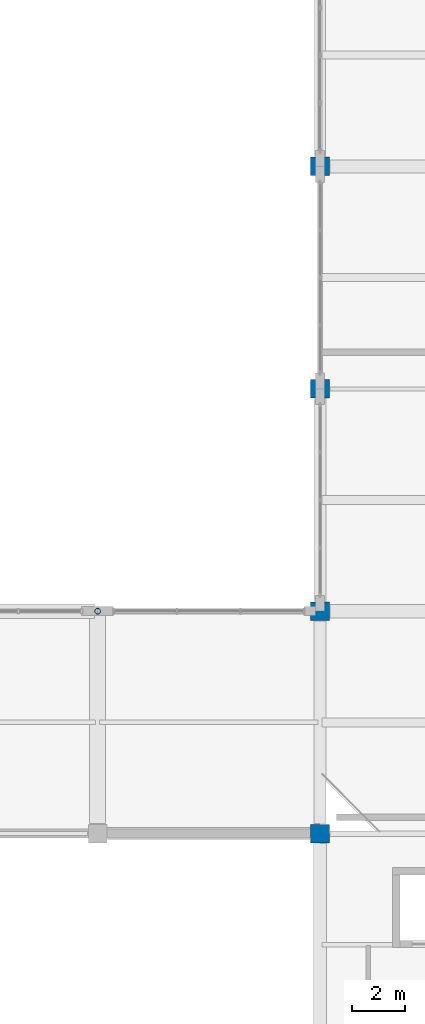
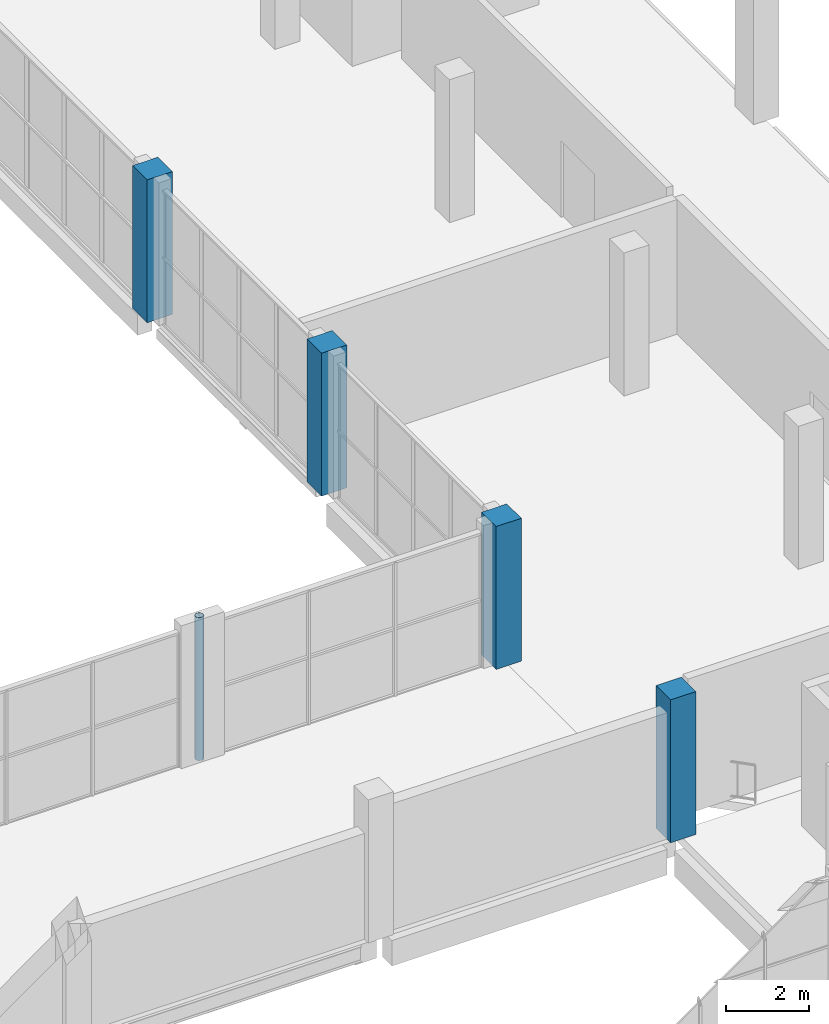
# One storey, part 6 of 59: 5 columns.
"""IFC4 building model written with IfcOpenShell, lengths in metres."""

from ifc_helpers import new_model, si_unit, derived_unit, direction, frame, origin, origin_2d, place, context, subcontext, project, spatial, rectangle, hollow_circle, extrude, material, material_profile, profile_set, type_object, element, save


model = new_model("IFC4")

# Units and contexts
model_context = context("Model", 3, precision=1e-05, world=origin(), true_north=direction((0.0, 1.0)))
body_context = subcontext(model_context, "Body", "Model", "MODEL_VIEW")
ifc_project = project(units=[si_unit("LENGTHUNIT", "METRE"), si_unit("AREAUNIT", "SQUARE_METRE"), si_unit("VOLUMEUNIT", "CUBIC_METRE"), si_unit("PLANEANGLEUNIT", "RADIAN"), si_unit("MASSUNIT", "GRAM", prefix="KILO"), derived_unit("THERMALTRANSMITTANCEUNIT", [(si_unit("POWERUNIT", "WATT"), 1), (si_unit("LENGTHUNIT", "METRE"), -2), (si_unit("THERMODYNAMICTEMPERATUREUNIT", "KELVIN"), -1)])], contexts=[model_context])

# Site, building, storey
site_placement = place(None, origin())
site = spatial("IfcSite", under=ifc_project, at=site_placement, CompositionType="ELEMENT")
building_placement = place(site_placement, origin())
building = spatial("IfcBuilding", under=site, at=building_placement, Name="Barrovel Congress Hotel", CompositionType="ELEMENT")
storey_placement = place(building_placement, frame((0.0, 0.0, 9.89990234375)))
storey = spatial("IfcBuildingStorey", under=building, at=storey_placement, Name="L02", CompositionType="ELEMENT", Elevation=9.89990234375)

# Columns
ifc_material_1 = material(Name="Concrete C40", Category="concrete")
ifc_material_profile_1 = material_profile(ifc_material_1, rectangle(XDim=0.699951171875, YDim=0.699951171875, at=origin_2d()), Name="RC700x700")
ifc_profile_set_1 = profile_set([ifc_material_profile_1], Name="Concrete C40")
column_type_1 = type_object("IfcColumnType", Name="COL-RC700x700", PredefinedType="COLUMN", material=ifc_profile_set_1)
for number, where, z_axis, x_axis, name in (
    (1, (126.0, 37.800048828125, 0.0), (0.0, 0.0, 1.0), (1.0, 0.0, 0.0), "COL:L02:126.0:37.8"),
    (2, (126.0, 46.199951171875, 0.0), (0.0, 0.0, 1.0), (1.0, 0.0, 0.0), "COL:L02:126.0:46.2"),
    (3, (126.0, 54.60009765625, 0.0), (0.0, 0.0, 1.0), (1.0, 0.0, 0.0), "COL:L02:126.0:54.6"),
    (4, (126.0, 63.0, 0.0), (0.0, 0.0, 1.0), (1.0, 0.0, 0.0), "COL:L02:126.0:63.0"),
):
    element("IfcColumn", number, at=place(storey_placement, frame(where, z_axis=z_axis, x_axis=x_axis)), inside=storey, type_object=column_type_1, Name=name, PredefinedType="COLUMN", context=body_context, shape_type="SweptSolid", body=[
        extrude(rectangle(XDim=0.699951171875, YDim=0.699951171875, at=origin_2d()), origin(), (0.0, 0.0, 1.0), 4.2001953125),
    ])
ifc_material_2 = material(Name="Steel ASTM A500 Grade C", Category="steel")
ifc_material_profile_2 = material_profile(ifc_material_2, hollow_circle(Radius=0.109619140625, WallThickness=0.0087890625, at=origin_2d()), Name="CHS219.1x9.5")
ifc_profile_set_2 = profile_set([ifc_material_profile_2], Name="Steel ASTM A500 Grade C")
column_type_2 = type_object("IfcColumnType", Name="SCOL-CHS219.1x9.5", PredefinedType="COLUMN", material=ifc_profile_set_2)
column_placement = place(storey_placement, frame((117.60009765625, 46.199951171875, 0.0), z_axis=(0.0, 0.0, 1.0), x_axis=(1.0, 0.0, 0.0)))
element("IfcColumn", 5, at=column_placement, inside=storey, type_object=column_type_2, Name="COL:L02:117.6:46.2", PredefinedType="COLUMN", context=body_context, shape_type="SweptSolid", body=[
    extrude(hollow_circle(Radius=0.109619140625, WallThickness=0.0087890625, at=origin_2d()), origin(), (0.0, 0.0, 1.0), 4.2001953125),
])

save(model, "model.ifc")
